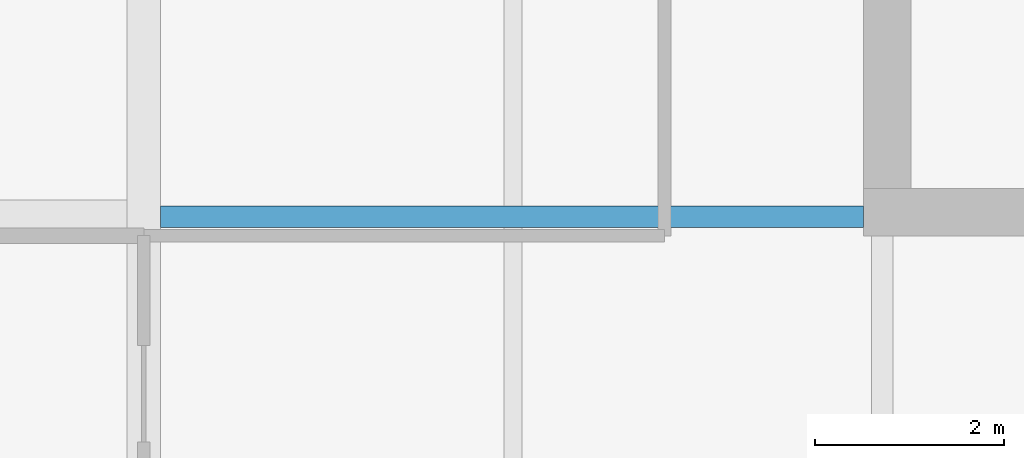
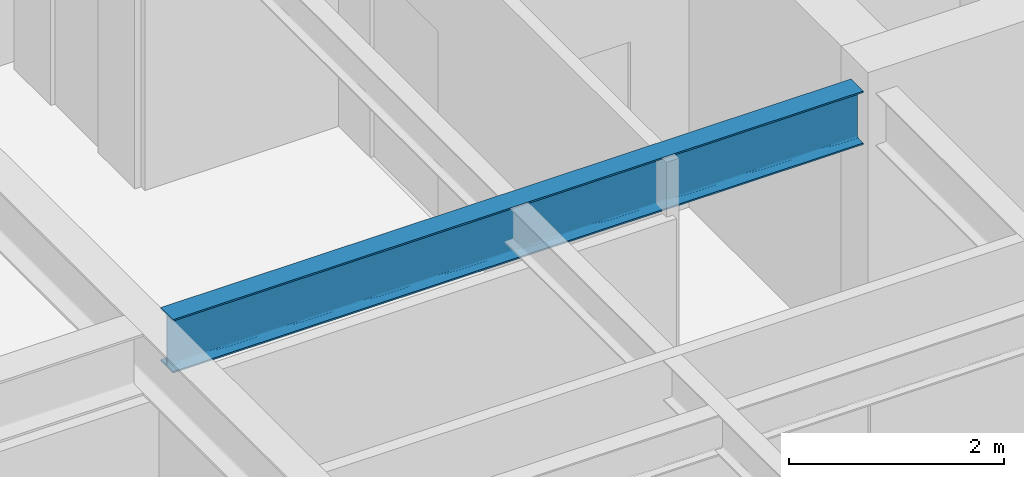
# One storey, part 8 of 32: 1 beam.
"""IFC4 building model written with IfcOpenShell, lengths in metres."""

from ifc_helpers import new_model, si_unit, direction, frame, origin, origin_2d, place, context, subcontext, project, spatial, i_section, extrude, material, material_profile, profile_set, type_object, element, save


model = new_model("IFC4")

# Units and contexts
model_context = context("Model", 3, precision=1e-05, world=origin(), true_north=direction((0.0, 1.0)))
body_context = subcontext(model_context, "Body", "Model", "MODEL_VIEW")
ifc_project = project(units=[si_unit("LENGTHUNIT", "METRE"), si_unit("AREAUNIT", "SQUARE_METRE"), si_unit("VOLUMEUNIT", "CUBIC_METRE"), si_unit("PLANEANGLEUNIT", "RADIAN"), si_unit("MASSUNIT", "GRAM", prefix="KILO")], contexts=[model_context])

# Site, building, storey
site_placement = place(None, origin())
site = spatial("IfcSite", under=ifc_project, at=site_placement, CompositionType="ELEMENT")
building_placement = place(site_placement, origin())
building = spatial("IfcBuilding", under=site, at=building_placement, Name="Drelvath Grand Hotel", CompositionType="ELEMENT")
storey_placement = place(building_placement, frame((0.0, 0.0, 164.60009765625)))
storey = spatial("IfcBuildingStorey", under=building, at=storey_placement, Name="L42", CompositionType="ELEMENT", Elevation=164.60009765625)

# Beam
ifc_material = material(Name="Steel ASTM A992 Gr 50", Category="steel")
ifc_material_profile = material_profile(ifc_material, i_section(OverallWidth=0.228271484375, OverallDepth=0.607666015625, WebThickness=0.01123046875, FlangeThickness=0.017333984375, FilletRadius=0.02001953125, at=origin_2d()), Name="W24X76")
ifc_profile_set = profile_set([ifc_material_profile], Name="Steel ASTM A992 Gr 50")
beam_type = type_object("IfcBeamType", Name="Primary Floor Girder W24X76", PredefinedType="BEAM", material=ifc_profile_set)
beam_placement = place(storey_placement, frame((-16.022705078125, 18.60009765625, 2.986083984375), z_axis=(1.0, 0.0, 0.0), x_axis=(0.0, 1.0, 0.0)))
element("IfcBeam", 1, at=beam_placement, inside=storey, type_object=beam_type, Name="L42 West Core Tie D", PredefinedType="BEAM", context=body_context, shape_type="SweptSolid", body=[
    extrude(i_section(OverallWidth=0.228271484375, OverallDepth=0.607666015625, WebThickness=0.01123046875, FlangeThickness=0.017333984375, FilletRadius=0.02001953125, at=origin_2d()), origin(), (0.0, 0.0, 1.0), 7.422607421875),
])

save(model, "model.ifc")
